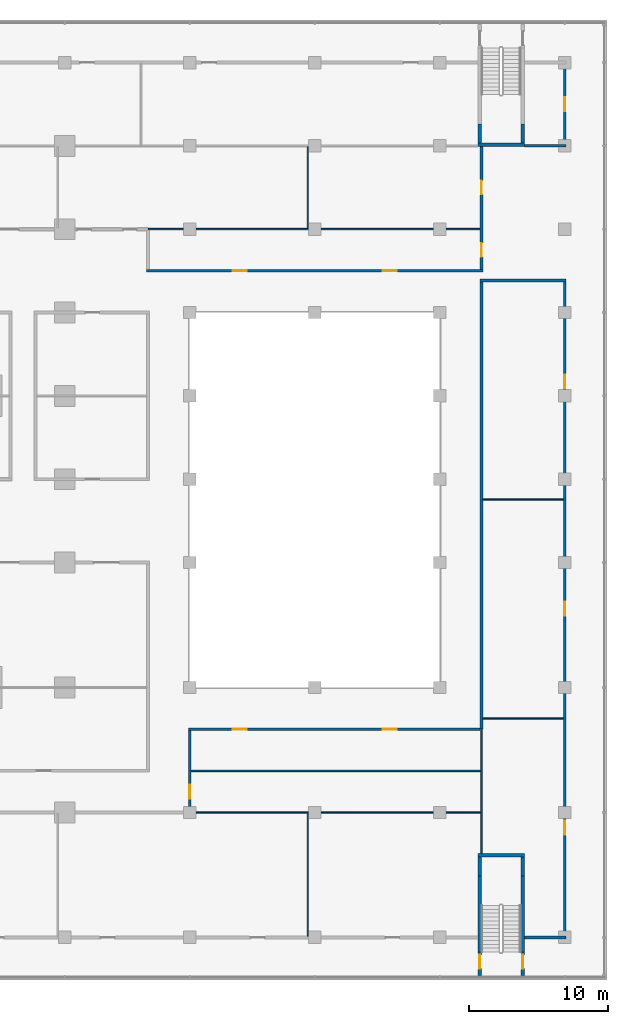
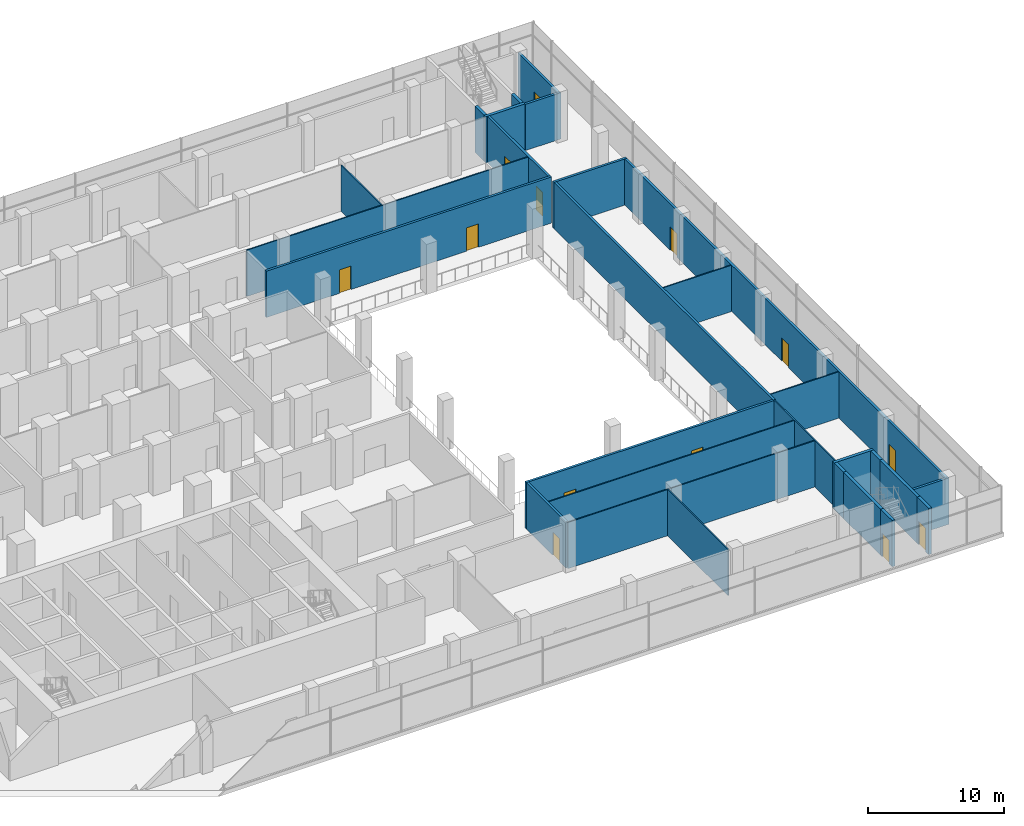
# One storey, part 17 of 22: 28 walls, 13 doors, 13 openings.
"""IFC4 building model written with IfcOpenShell, lengths in metres."""

from ifc_helpers import new_model, si_unit, direction, frame, frame_2d, origin, place, context, subcontext, project, spatial, rectangle, extrude, material, layer, layer_set, type_object, element, fill, save


model = new_model("IFC4")

# Units and contexts
model_context = context("Model", 3, precision=1e-05, world=origin(), true_north=direction((0.0, 1.0)))
body_context = subcontext(model_context, "Body", "Model", "MODEL_VIEW")
ifc_project = project(units=[si_unit("LENGTHUNIT", "METRE"), si_unit("AREAUNIT", "SQUARE_METRE"), si_unit("VOLUMEUNIT", "CUBIC_METRE"), si_unit("PLANEANGLEUNIT", "RADIAN"), si_unit("MASSUNIT", "GRAM", prefix="KILO")], contexts=[model_context])

# Site, building, storey
site_placement = place(None, origin())
site = spatial("IfcSite", under=ifc_project, at=site_placement, CompositionType="ELEMENT")
building_placement = place(site_placement, origin())
building = spatial("IfcBuilding", under=site, at=building_placement, Name="Finial Court Residences", CompositionType="ELEMENT")
storey_placement = place(building_placement, frame((0.0, 0.0, 23.5)))
storey = spatial("IfcBuildingStorey", under=building, at=storey_placement, Name="L04", CompositionType="ELEMENT", Elevation=23.5)

# Wall
ifc_material_1 = material(Name="Gypsum board")
ifc_layer_1 = layer(ifc_material_1, 0.02490234375)
ifc_material_2 = material(Name="Acoustic mineral wool in double frame")
ifc_layer_2 = layer(ifc_material_2, 0.14990234375)
ifc_layer_3 = layer(ifc_material_1, 0.02490234375)
ifc_layer_set_1 = layer_set([ifc_layer_1, ifc_layer_2, ifc_layer_3], Name="Corridor wall 200, 1 hour")
wall_type_1 = type_object("IfcWallType", Name="Corridor wall 200, 1 hour", PredefinedType="PARTITIONING", material=ifc_layer_set_1)
wall_1_placement = place(storey_placement, frame((55.60009765625, -31.5, 0.0), z_axis=(0.0, 0.0, 1.0), x_axis=(1.0, 0.0, 0.0)))
element("IfcWall", 1, at=wall_1_placement, inside=storey, type_object=wall_type_1, Name="Partition L04-002", PredefinedType="PARTITIONING", context=body_context, shape_type="SweptSolid", body=[
    extrude(rectangle(XDim=3.0, YDim=0.199951171875, at=frame_2d((1.5, 0.0))), origin(), (0.0, 0.0, 1.0), 4.14990234375),
])

# Wall, openings, doors
wall_2_placement = place(storey_placement, frame((31.39990234375, -16.5, 0.0), z_axis=(0.0, 0.0, 1.0), x_axis=(1.0, 0.0, 0.0)))
wall_2 = element("IfcWall", 2, at=wall_2_placement, inside=storey, type_object=wall_type_1, Name="Partition L04-011", PredefinedType="PARTITIONING", context=body_context, shape_type="SweptSolid", body=[
    extrude(rectangle(XDim=21.0, YDim=0.199951171875, at=frame_2d((10.5, 0.0))), origin(), (0.0, 0.0, 1.0), 4.14990234375),
])
opening_1_placement = place(wall_2_placement, frame((3.199951171875, 0.0, 0.0)))
opening_1 = element("IfcOpeningElement", 3, at=opening_1_placement, cuts=wall_2, Name="Opening L04-D011", PredefinedType="OPENING", context=body_context, shape_type="SweptSolid", body=[
    extrude(rectangle(XDim=1.0, YDim=2.10009765625, at=frame_2d((0.5, 1.050048828125))), frame((0.0, 0.10986328125, 0.0), z_axis=(0.0, -1.0, 0.0), x_axis=(1.0, 0.0, 0.0)), (0.0, 0.0, 1.0), 0.219970703125),
])
opening_2_placement = place(wall_2_placement, frame((14.0, 0.0, 0.0)))
opening_2 = element("IfcOpeningElement", 4, at=opening_2_placement, cuts=wall_2, Name="Opening L04-D012", PredefinedType="OPENING", context=body_context, shape_type="SweptSolid", body=[
    extrude(rectangle(XDim=1.0, YDim=2.10009765625, at=frame_2d((0.5, 1.050048828125))), frame((0.0, 0.10986328125, 0.0), z_axis=(0.0, -1.0, 0.0), x_axis=(1.0, 0.0, 0.0)), (0.0, 0.0, 1.0), 0.219970703125),
])
ifc_material_3 = material(Name="Timber door leaf in hollow metal frame", Category="wood")
door_type_1 = type_object("IfcDoorType", Name="Fire door set 1000 x 2100, 30 minutes", OperationType="SINGLE_SWING_LEFT", PredefinedType="DOOR", material=ifc_material_3)
door_1_placement = place(opening_1_placement, origin())
door_1 = element("IfcDoor", 5, at=door_1_placement, inside=storey, type_object=door_type_1, Name="Door L04-D011", OperationType="SINGLE_SWING_LEFT", OverallHeight=2.10009765625, OverallWidth=1.0, PredefinedType="DOOR", context=body_context, shape_type="SweptSolid", body=[
    extrude(rectangle(XDim=1.0, YDim=2.10009765625, at=frame_2d((0.5, 1.050048828125))), frame((0.0, 0.02490234375, 0.0), z_axis=(0.0, -1.0, 0.0), x_axis=(1.0, 0.0, 0.0)), (0.0, 0.0, 1.0), 0.050048828125),
])
fill(opening_1, door_1)
door_2_placement = place(opening_2_placement, origin())
door_2 = element("IfcDoor", 6, at=door_2_placement, inside=storey, type_object=door_type_1, Name="Door L04-D012", OperationType="SINGLE_SWING_RIGHT", OverallHeight=2.10009765625, OverallWidth=1.0, PredefinedType="DOOR", context=body_context, shape_type="SweptSolid", body=[
    extrude(rectangle(XDim=1.0, YDim=2.10009765625, at=frame_2d((0.5, 1.050048828125))), frame((0.0, 0.02490234375, 0.0), z_axis=(0.0, -1.0, 0.0), x_axis=(1.0, 0.0, 0.0)), (0.0, 0.0, 1.0), 0.050048828125),
])
fill(opening_2, door_2)

# Wall
wall_3_placement = place(storey_placement, frame((52.39990234375, 15.800048828125, 0.0), z_axis=(0.0, 0.0, 1.0), x_axis=(1.0, 0.0, 0.0)))
element("IfcWall", 7, at=wall_3_placement, inside=storey, type_object=wall_type_1, Name="Partition L04-030", PredefinedType="PARTITIONING", context=body_context, shape_type="SweptSolid", body=[
    extrude(rectangle(XDim=6.2001953125, YDim=0.199951171875, at=frame_2d((3.10009765625, 0.0))), origin(), (0.0, 0.0, 1.0), 4.14990234375),
])

# Wall, openings, doors
wall_4_placement = place(storey_placement, frame((28.39990234375, 16.5, 0.0), z_axis=(0.0, 0.0, 1.0), x_axis=(1.0, 0.0, 0.0)))
wall_4 = element("IfcWall", 8, at=wall_4_placement, inside=storey, type_object=wall_type_1, Name="Partition L04-031", PredefinedType="PARTITIONING", context=body_context, shape_type="SweptSolid", body=[
    extrude(rectangle(XDim=24.2001953125, YDim=0.199951171875, at=frame_2d((12.10009765625, 0.0))), origin(), (0.0, 0.0, 1.0), 4.14990234375),
])
opening_3_placement = place(wall_4_placement, frame((6.199951171875, 0.0, 0.0)))
opening_3 = element("IfcOpeningElement", 9, at=opening_3_placement, cuts=wall_4, Name="Opening L04-D029", PredefinedType="OPENING", context=body_context, shape_type="SweptSolid", body=[
    extrude(rectangle(XDim=1.0, YDim=2.10009765625, at=frame_2d((0.5, 1.050048828125))), frame((0.0, 0.10986328125, 0.0), z_axis=(0.0, -1.0, 0.0), x_axis=(1.0, 0.0, 0.0)), (0.0, 0.0, 1.0), 0.219970703125),
])
opening_4_placement = place(wall_4_placement, frame((17.0, 0.0, 0.0)))
opening_4 = element("IfcOpeningElement", 10, at=opening_4_placement, cuts=wall_4, Name="Opening L04-D030", PredefinedType="OPENING", context=body_context, shape_type="SweptSolid", body=[
    extrude(rectangle(XDim=1.0, YDim=2.10009765625, at=frame_2d((0.5, 1.050048828125))), frame((0.0, 0.10986328125, 0.0), z_axis=(0.0, -1.0, 0.0), x_axis=(1.0, 0.0, 0.0)), (0.0, 0.0, 1.0), 0.219970703125),
])
door_3_placement = place(opening_3_placement, origin())
door_3 = element("IfcDoor", 11, at=door_3_placement, inside=storey, type_object=door_type_1, Name="Door L04-D029", OperationType="SINGLE_SWING_RIGHT", OverallHeight=2.10009765625, OverallWidth=1.0, PredefinedType="DOOR", context=body_context, shape_type="SweptSolid", body=[
    extrude(rectangle(XDim=1.0, YDim=2.10009765625, at=frame_2d((0.5, 1.050048828125))), frame((0.0, 0.02490234375, 0.0), z_axis=(0.0, -1.0, 0.0), x_axis=(1.0, 0.0, 0.0)), (0.0, 0.0, 1.0), 0.050048828125),
])
fill(opening_3, door_3)
door_4_placement = place(opening_4_placement, origin())
door_4 = element("IfcDoor", 12, at=door_4_placement, inside=storey, type_object=door_type_1, Name="Door L04-D030", OperationType="SINGLE_SWING_LEFT", OverallHeight=2.10009765625, OverallWidth=1.0, PredefinedType="DOOR", context=body_context, shape_type="SweptSolid", body=[
    extrude(rectangle(XDim=1.0, YDim=2.10009765625, at=frame_2d((0.5, 1.050048828125))), frame((0.0, 0.02490234375, 0.0), z_axis=(0.0, -1.0, 0.0), x_axis=(1.0, 0.0, 0.0)), (0.0, 0.0, 1.0), 0.050048828125),
])
fill(opening_4, door_4)

# Wall
wall_5_placement = place(storey_placement, frame((55.60009765625, 25.5, 0.0), z_axis=(0.0, 0.0, 1.0), x_axis=(1.0, 0.0, 0.0)))
element("IfcWall", 13, at=wall_5_placement, inside=storey, type_object=wall_type_1, Name="Partition L04-034", PredefinedType="PARTITIONING", context=body_context, shape_type="SweptSolid", body=[
    extrude(rectangle(XDim=3.0, YDim=0.199951171875, at=frame_2d((1.5, 0.0))), origin(), (0.0, 0.0, 1.0), 4.14990234375),
])

# Wall, opening, door
wall_6_placement = place(storey_placement, frame((31.5, -22.39990234375, 0.0), z_axis=(0.0, 0.0, 1.0), x_axis=(0.0, 1.0, 0.0)))
wall_6 = element("IfcWall", 14, at=wall_6_placement, inside=storey, type_object=wall_type_1, Name="Partition L04-066", PredefinedType="PARTITIONING", context=body_context, shape_type="SweptSolid", body=[
    extrude(rectangle(XDim=5.7998046875, YDim=0.199951171875, at=frame_2d((2.89990234375, 0.0))), origin(), (0.0, 0.0, 1.0), 4.14990234375),
])
opening_5_placement = place(wall_6_placement, frame((0.89990234375, 0.0, 0.0)))
opening_5 = element("IfcOpeningElement", 15, at=opening_5_placement, cuts=wall_6, Name="Opening L04-D047", PredefinedType="OPENING", context=body_context, shape_type="SweptSolid", body=[
    extrude(rectangle(XDim=1.0, YDim=2.10009765625, at=frame_2d((0.5, 1.050048828125))), frame((0.0, 0.10986328125, 0.0), z_axis=(0.0, -1.0, 0.0), x_axis=(1.0, 0.0, 0.0)), (0.0, 0.0, 1.0), 0.219970703125),
])
door_5_placement = place(opening_5_placement, origin())
door_5 = element("IfcDoor", 16, at=door_5_placement, inside=storey, type_object=door_type_1, Name="Door L04-D047", OperationType="SINGLE_SWING_LEFT", OverallHeight=2.10009765625, OverallWidth=1.0, PredefinedType="DOOR", context=body_context, shape_type="SweptSolid", body=[
    extrude(rectangle(XDim=1.0, YDim=2.10009765625, at=frame_2d((0.5, 1.050048828125))), frame((0.0, 0.02490234375, 0.0), z_axis=(0.0, -1.0, 0.0), x_axis=(1.0, 0.0, 0.0)), (0.0, 0.0, 1.0), 0.050048828125),
])
fill(opening_5, door_5)

# Wall
wall_7_placement = place(storey_placement, frame((52.5, -16.5, 0.0), z_axis=(0.0, 0.0, 1.0), x_axis=(0.0, 1.0, 0.0)))
element("IfcWall", 17, at=wall_7_placement, inside=storey, type_object=wall_type_1, Name="Partition L04-069", PredefinedType="PARTITIONING", context=body_context, shape_type="SweptSolid", body=[
    extrude(rectangle(XDim=32.199951171875, YDim=0.199951171875, at=frame_2d((16.10009765625, 0.0))), origin(), (0.0, 0.0, 1.0), 4.14990234375),
])

# Wall, openings, doors
wall_8_placement = place(storey_placement, frame((52.5, 16.60009765625, 0.0), z_axis=(0.0, 0.0, 1.0), x_axis=(0.0, 1.0, 0.0)))
wall_8 = element("IfcWall", 18, at=wall_8_placement, inside=storey, type_object=wall_type_1, Name="Partition L04-070", PredefinedType="PARTITIONING", context=body_context, shape_type="SweptSolid", body=[
    extrude(rectangle(XDim=8.869873046875, YDim=0.199951171875, at=frame_2d((4.43505859375, 0.0))), origin(), (0.0, 0.0, 1.0), 4.14990234375),
])
opening_6_placement = place(wall_8_placement, frame((0.89990234375, 0.0, 0.0)))
opening_6 = element("IfcOpeningElement", 19, at=opening_6_placement, cuts=wall_8, Name="Opening L04-D048", PredefinedType="OPENING", context=body_context, shape_type="SweptSolid", body=[
    extrude(rectangle(XDim=1.0, YDim=2.10009765625, at=frame_2d((0.5, 1.050048828125))), frame((0.0, 0.10986328125, 0.0), z_axis=(0.0, -1.0, 0.0), x_axis=(1.0, 0.0, 0.0)), (0.0, 0.0, 1.0), 0.219970703125),
])
opening_7_placement = place(wall_8_placement, frame((5.39990234375, 0.0, 0.0)))
opening_7 = element("IfcOpeningElement", 20, at=opening_7_placement, cuts=wall_8, Name="Opening L04-D049", PredefinedType="OPENING", context=body_context, shape_type="SweptSolid", body=[
    extrude(rectangle(XDim=1.0, YDim=2.10009765625, at=frame_2d((0.5, 1.050048828125))), frame((0.0, 0.10986328125, 0.0), z_axis=(0.0, -1.0, 0.0), x_axis=(1.0, 0.0, 0.0)), (0.0, 0.0, 1.0), 0.219970703125),
])
door_6_placement = place(opening_6_placement, origin())
door_6 = element("IfcDoor", 21, at=door_6_placement, inside=storey, type_object=door_type_1, Name="Door L04-D048", OperationType="SINGLE_SWING_RIGHT", OverallHeight=2.10009765625, OverallWidth=1.0, PredefinedType="DOOR", context=body_context, shape_type="SweptSolid", body=[
    extrude(rectangle(XDim=1.0, YDim=2.10009765625, at=frame_2d((0.5, 1.050048828125))), frame((0.0, 0.02490234375, 0.0), z_axis=(0.0, -1.0, 0.0), x_axis=(1.0, 0.0, 0.0)), (0.0, 0.0, 1.0), 0.050048828125),
])
fill(opening_6, door_6)
door_7_placement = place(opening_7_placement, origin())
door_7 = element("IfcDoor", 22, at=door_7_placement, inside=storey, type_object=door_type_1, Name="Door L04-D049", OperationType="SINGLE_SWING_LEFT", OverallHeight=2.10009765625, OverallWidth=1.0, PredefinedType="DOOR", context=body_context, shape_type="SweptSolid", body=[
    extrude(rectangle(XDim=1.0, YDim=2.10009765625, at=frame_2d((0.5, 1.050048828125))), frame((0.0, 0.02490234375, 0.0), z_axis=(0.0, -1.0, 0.0), x_axis=(1.0, 0.0, 0.0)), (0.0, 0.0, 1.0), 0.050048828125),
])
fill(opening_7, door_7)

wall_9_placement = place(storey_placement, frame((58.5, -31.39990234375, 0.0), z_axis=(0.0, 0.0, 1.0), x_axis=(0.0, 1.0, 0.0)))
wall_9 = element("IfcWall", 23, at=wall_9_placement, inside=storey, type_object=wall_type_1, Name="Partition L04-072", PredefinedType="PARTITIONING", context=body_context, shape_type="SweptSolid", body=[
    extrude(rectangle(XDim=47.099853515625, YDim=0.199951171875, at=frame_2d((23.5498046875, 0.0))), origin(), (0.0, 0.0, 1.0), 4.14990234375),
])
opening_8_placement = place(wall_9_placement, frame((7.300048828125, 0.0, 0.0)))
opening_8 = element("IfcOpeningElement", 24, at=opening_8_placement, cuts=wall_9, Name="Opening L04-D050", PredefinedType="OPENING", context=body_context, shape_type="SweptSolid", body=[
    extrude(rectangle(XDim=1.0, YDim=2.10009765625, at=frame_2d((0.5, 1.050048828125))), frame((0.0, 0.10986328125, 0.0), z_axis=(0.0, -1.0, 0.0), x_axis=(1.0, 0.0, 0.0)), (0.0, 0.0, 1.0), 0.219970703125),
])
opening_9_placement = place(wall_9_placement, frame((23.06689453125, 0.0, 0.0)))
opening_9 = element("IfcOpeningElement", 25, at=opening_9_placement, cuts=wall_9, Name="Opening L04-D051", PredefinedType="OPENING", context=body_context, shape_type="SweptSolid", body=[
    extrude(rectangle(XDim=1.0, YDim=2.10009765625, at=frame_2d((0.5, 1.050048828125))), frame((0.0, 0.10986328125, 0.0), z_axis=(0.0, -1.0, 0.0), x_axis=(1.0, 0.0, 0.0)), (0.0, 0.0, 1.0), 0.219970703125),
])
opening_10_placement = place(wall_9_placement, frame((39.43310546875, 0.0, 0.0)))
opening_10 = element("IfcOpeningElement", 26, at=opening_10_placement, cuts=wall_9, Name="Opening L04-D052", PredefinedType="OPENING", context=body_context, shape_type="SweptSolid", body=[
    extrude(rectangle(XDim=1.0, YDim=2.10009765625, at=frame_2d((0.5, 1.050048828125))), frame((0.0, 0.10986328125, 0.0), z_axis=(0.0, -1.0, 0.0), x_axis=(1.0, 0.0, 0.0)), (0.0, 0.0, 1.0), 0.219970703125),
])
door_8_placement = place(opening_8_placement, origin())
door_8 = element("IfcDoor", 27, at=door_8_placement, inside=storey, type_object=door_type_1, Name="Door L04-D050", OperationType="SINGLE_SWING_RIGHT", OverallHeight=2.10009765625, OverallWidth=1.0, PredefinedType="DOOR", context=body_context, shape_type="SweptSolid", body=[
    extrude(rectangle(XDim=1.0, YDim=2.10009765625, at=frame_2d((0.5, 1.050048828125))), frame((0.0, 0.02490234375, 0.0), z_axis=(0.0, -1.0, 0.0), x_axis=(1.0, 0.0, 0.0)), (0.0, 0.0, 1.0), 0.050048828125),
])
fill(opening_8, door_8)
door_9_placement = place(opening_9_placement, origin())
door_9 = element("IfcDoor", 28, at=door_9_placement, inside=storey, type_object=door_type_1, Name="Door L04-D051", OperationType="SINGLE_SWING_LEFT", OverallHeight=2.10009765625, OverallWidth=1.0, PredefinedType="DOOR", context=body_context, shape_type="SweptSolid", body=[
    extrude(rectangle(XDim=1.0, YDim=2.10009765625, at=frame_2d((0.5, 1.050048828125))), frame((0.0, 0.02490234375, 0.0), z_axis=(0.0, -1.0, 0.0), x_axis=(1.0, 0.0, 0.0)), (0.0, 0.0, 1.0), 0.050048828125),
])
fill(opening_9, door_9)
door_10_placement = place(opening_10_placement, origin())
door_10 = element("IfcDoor", 29, at=door_10_placement, inside=storey, type_object=door_type_1, Name="Door L04-D052", OperationType="SINGLE_SWING_LEFT", OverallHeight=2.10009765625, OverallWidth=1.0, PredefinedType="DOOR", context=body_context, shape_type="SweptSolid", body=[
    extrude(rectangle(XDim=1.0, YDim=2.10009765625, at=frame_2d((0.5, 1.050048828125))), frame((0.0, 0.02490234375, 0.0), z_axis=(0.0, -1.0, 0.0), x_axis=(1.0, 0.0, 0.0)), (0.0, 0.0, 1.0), 0.050048828125),
])
fill(opening_10, door_10)

# Wall, opening, door
wall_10_placement = place(storey_placement, frame((58.5, 25.60009765625, 0.0), z_axis=(0.0, 0.0, 1.0), x_axis=(0.0, 1.0, 0.0)))
wall_10 = element("IfcWall", 30, at=wall_10_placement, inside=storey, type_object=wall_type_1, Name="Partition L04-073", PredefinedType="PARTITIONING", context=body_context, shape_type="SweptSolid", body=[
    extrude(rectangle(XDim=5.7998046875, YDim=0.199951171875, at=frame_2d((2.89990234375, 0.0))), origin(), (0.0, 0.0, 1.0), 4.14990234375),
])
opening_11_placement = place(wall_10_placement, frame((2.39990234375, 0.0, 0.0)))
opening_11 = element("IfcOpeningElement", 31, at=opening_11_placement, cuts=wall_10, Name="Opening L04-D053", PredefinedType="OPENING", context=body_context, shape_type="SweptSolid", body=[
    extrude(rectangle(XDim=1.0, YDim=2.10009765625, at=frame_2d((0.5, 1.050048828125))), frame((0.0, 0.10986328125, 0.0), z_axis=(0.0, -1.0, 0.0), x_axis=(1.0, 0.0, 0.0)), (0.0, 0.0, 1.0), 0.219970703125),
])
door_11_placement = place(opening_11_placement, origin())
door_11 = element("IfcDoor", 32, at=door_11_placement, inside=storey, type_object=door_type_1, Name="Door L04-D053", OperationType="SINGLE_SWING_LEFT", OverallHeight=2.10009765625, OverallWidth=1.0, PredefinedType="DOOR", context=body_context, shape_type="SweptSolid", body=[
    extrude(rectangle(XDim=1.0, YDim=2.10009765625, at=frame_2d((0.5, 1.050048828125))), frame((0.0, 0.02490234375, 0.0), z_axis=(0.0, -1.0, 0.0), x_axis=(1.0, 0.0, 0.0)), (0.0, 0.0, 1.0), 0.050048828125),
])
fill(opening_11, door_11)

# Walls
ifc_layer_4 = layer(ifc_material_1, 0.012451171875)
ifc_material_4 = material(Name="Mineral wool in light-gauge frame")
ifc_layer_5 = layer(ifc_material_4, 0.074951171875)
ifc_layer_6 = layer(ifc_material_1, 0.012451171875)
ifc_layer_set_2 = layer_set([ifc_layer_4, ifc_layer_5, ifc_layer_6], Name="Gypsum board partition 100")
wall_type_2 = type_object("IfcWallType", Name="Gypsum board partition 100", PredefinedType="PARTITIONING", material=ifc_layer_set_2)
wall_11_placement = place(storey_placement, frame((31.5, -22.5, 0.0), z_axis=(0.0, 0.0, 1.0), x_axis=(1.0, 0.0, 0.0)))
element("IfcWall", 33, at=wall_11_placement, inside=storey, type_object=wall_type_2, Name="Partition L04-007", PredefinedType="PARTITIONING", context=body_context, shape_type="SweptSolid", body=[
    extrude(rectangle(XDim=20.949951171875, YDim=0.10009765625, at=frame_2d((10.47509765625, 0.0))), origin(), (0.0, 0.0, 1.0), 4.14990234375),
])
wall_12_placement = place(storey_placement, frame((31.60009765625, -19.5, 0.0), z_axis=(0.0, 0.0, 1.0), x_axis=(1.0, 0.0, 0.0)))
element("IfcWall", 34, at=wall_12_placement, inside=storey, type_object=wall_type_2, Name="Partition L04-010", PredefinedType="PARTITIONING", context=body_context, shape_type="SweptSolid", body=[
    extrude(rectangle(XDim=20.849853515625, YDim=0.10009765625, at=frame_2d((10.4248046875, 0.0))), origin(), (0.0, 0.0, 1.0), 4.14990234375),
])
for number, where, z_axis, x_axis, name in (
    (35, (52.60009765625, -15.73291015625, 0.0), (0.0, 0.0, 1.0), (1.0, 0.0, 0.0), "Partition L04-012"),
    (36, (52.60009765625, 0.032958984375, 0.0), (0.0, 0.0, 1.0), (1.0, 0.0, 0.0), "Partition L04-017"),
):
    element("IfcWall", number, at=place(storey_placement, frame(where, z_axis=z_axis, x_axis=x_axis)), inside=storey, type_object=wall_type_2, Name=name, PredefinedType="PARTITIONING", context=body_context, shape_type="SweptSolid", body=[
        extrude(rectangle(XDim=5.7998046875, YDim=0.10009765625, at=frame_2d((2.89990234375, 0.0))), origin(), (0.0, 0.0, 1.0), 4.14990234375),
    ])
wall_13_placement = place(storey_placement, frame((28.5, 19.5, 0.0), z_axis=(0.0, 0.0, 1.0), x_axis=(1.0, 0.0, 0.0)))
element("IfcWall", 37, at=wall_13_placement, inside=storey, type_object=wall_type_2, Name="Partition L04-033", PredefinedType="PARTITIONING", context=body_context, shape_type="SweptSolid", body=[
    extrude(rectangle(XDim=23.89990234375, YDim=0.10009765625, at=frame_2d((11.949951171875, 0.0))), origin(), (0.0, 0.0, 1.0), 4.14990234375),
])
wall_14_placement = place(storey_placement, frame((40.0, -31.39990234375, 0.0), z_axis=(0.0, 0.0, 1.0), x_axis=(0.0, 1.0, 0.0)))
element("IfcWall", 38, at=wall_14_placement, inside=storey, type_object=wall_type_2, Name="Partition L04-067", PredefinedType="PARTITIONING", context=body_context, shape_type="SweptSolid", body=[
    extrude(rectangle(XDim=8.849853515625, YDim=0.10009765625, at=frame_2d((4.4248046875, 0.0))), origin(), (0.0, 0.0, 1.0), 4.14990234375),
])
wall_15_placement = place(storey_placement, frame((40.0, 19.550048828125, 0.0), z_axis=(0.0, 0.0, 1.0), x_axis=(0.0, 1.0, 0.0)))
element("IfcWall", 39, at=wall_15_placement, inside=storey, type_object=wall_type_2, Name="Partition L04-068", PredefinedType="PARTITIONING", context=body_context, shape_type="SweptSolid", body=[
    extrude(rectangle(XDim=5.89990234375, YDim=0.10009765625, at=frame_2d((2.949951171875, 0.0))), origin(), (0.0, 0.0, 1.0), 4.14990234375),
])
wall_16_placement = place(storey_placement, frame((52.5, -25.469970703125, 0.0), z_axis=(0.0, 0.0, 1.0), x_axis=(0.0, 1.0, 0.0)))
element("IfcWall", 40, at=wall_16_placement, inside=storey, type_object=wall_type_2, Name="Partition L04-071", PredefinedType="PARTITIONING", context=body_context, shape_type="SweptSolid", body=[
    extrude(rectangle(XDim=8.969970703125, YDim=0.10009765625, at=frame_2d((4.48486328125, 0.0))), origin(), (0.0, 0.0, 1.0), 4.14990234375),
])

# Wall, opening, door
ifc_material_5 = material(Name="Concrete C50/60", Category="concrete")
ifc_layer_7 = layer(ifc_material_5, 0.25)
ifc_layer_set_3 = layer_set([ifc_layer_7], Name="Stair enclosure wall 250 Concrete C50/60")
wall_type_3 = type_object("IfcWallType", Name="Stair enclosure wall 250 Concrete C50/60", PredefinedType="SHEAR", material=ifc_layer_set_3)
wall_17_placement = place(storey_placement, frame((52.375, -32.550048828125, 0.0), z_axis=(0.0, 0.0, 1.0), x_axis=(0.0, -1.0, 0.0)))
wall_17 = element("IfcWall", 41, at=wall_17_placement, inside=storey, type_object=wall_type_3, Name="Exit Stair 3 enclosure wall L04-W1", PredefinedType="SHEAR", context=body_context, shape_type="SweptSolid", body=[
    extrude(rectangle(XDim=1.68994140625, YDim=0.25, at=frame_2d((0.844970703125, 0.0))), origin(), (0.0, 0.0, 1.0), 4.14990234375),
])
opening_12_placement = place(wall_17_placement, frame((0.199951171875, 0.0, 0.0)))
opening_12 = element("IfcOpeningElement", 42, at=opening_12_placement, cuts=wall_17, Name="Opening L04-S3", PredefinedType="OPENING", context=body_context, shape_type="SweptSolid", body=[
    extrude(rectangle(XDim=1.0, YDim=2.10009765625, at=frame_2d((0.5, 1.050048828125))), frame((0.0, 0.135009765625, 0.0), z_axis=(0.0, -1.0, 0.0), x_axis=(1.0, 0.0, 0.0)), (0.0, 0.0, 1.0), 0.27001953125),
])
ifc_material_6 = material(Name="Steel fire door", Category="steel")
door_type_2 = type_object("IfcDoorType", Name="Stair door 1000 x 2100 EI 90", OperationType="NOTDEFINED", PredefinedType="DOOR", material=ifc_material_6)
door_12_placement = place(opening_12_placement, origin())
door_12 = element("IfcDoor", 43, at=door_12_placement, inside=storey, type_object=door_type_2, Name="Exit Stair 3 door L04", OperationType="SINGLE_SWING_RIGHT", OverallHeight=2.10009765625, OverallWidth=1.0, PredefinedType="DOOR", context=body_context, shape_type="SweptSolid", body=[
    extrude(rectangle(XDim=1.0, YDim=2.10009765625, at=frame_2d((0.5, 1.050048828125))), frame((0.0, 0.02490234375, 0.0), z_axis=(0.0, -1.0, 0.0), x_axis=(1.0, 0.0, 0.0)), (0.0, 0.0, 1.0), 0.050048828125),
])
fill(opening_12, door_12)

# Walls
wall_18_placement = place(storey_placement, frame((52.375, -32.550048828125, 0.0), z_axis=(0.0, 0.0, 1.0), x_axis=(0.0, 1.0, 0.0)))
element("IfcWall", 44, at=wall_18_placement, inside=storey, type_object=wall_type_3, Name="Exit Stair 3 enclosure wall L04-W2", PredefinedType="SHEAR", context=body_context, shape_type="SweptSolid", body=[
    extrude(rectangle(XDim=5.47998046875, YDim=0.25, at=frame_2d((2.739990234375, 0.0))), origin(), (0.0, 0.0, 1.0), 4.14990234375),
])
wall_19_placement = place(storey_placement, frame((52.375, -27.070068359375, 0.0), z_axis=(0.0, 0.0, 1.0), x_axis=(0.0, 1.0, 0.0)))
element("IfcWall", 45, at=wall_19_placement, inside=storey, type_object=wall_type_3, Name="Exit Stair 3 enclosure wall L04-W3", PredefinedType="SHEAR", context=body_context, shape_type="SweptSolid", body=[
    extrude(rectangle(XDim=1.35009765625, YDim=0.25, at=frame_2d((0.675048828125, 0.0))), origin(), (0.0, 0.0, 1.0), 4.14990234375),
])

# Wall, opening, door
wall_20_placement = place(storey_placement, frame((55.47509765625, -34.239990234375, 0.0), z_axis=(0.0, 0.0, 1.0), x_axis=(0.0, 1.0, 0.0)))
wall_20 = element("IfcWall", 46, at=wall_20_placement, inside=storey, type_object=wall_type_3, Name="Exit Stair 3 enclosure wall L04-E1", PredefinedType="SHEAR", context=body_context, shape_type="SweptSolid", body=[
    extrude(rectangle(XDim=1.68994140625, YDim=0.25, at=frame_2d((0.844970703125, 0.0))), origin(), (0.0, 0.0, 1.0), 4.14990234375),
])
opening_13_placement = place(wall_20_placement, frame((0.489990234375, 0.0, 0.0)))
opening_13 = element("IfcOpeningElement", 47, at=opening_13_placement, cuts=wall_20, Name="Opening L04-S3E", PredefinedType="OPENING", context=body_context, shape_type="SweptSolid", body=[
    extrude(rectangle(XDim=1.0, YDim=2.10009765625, at=frame_2d((0.5, 1.050048828125))), frame((0.0, 0.135009765625, 0.0), z_axis=(0.0, -1.0, 0.0), x_axis=(1.0, 0.0, 0.0)), (0.0, 0.0, 1.0), 0.27001953125),
])
door_13_placement = place(opening_13_placement, origin())
door_13 = element("IfcDoor", 48, at=door_13_placement, inside=storey, type_object=door_type_2, Name="Exit Stair 3 east door L04", OperationType="SINGLE_SWING_LEFT", OverallHeight=2.10009765625, OverallWidth=1.0, PredefinedType="DOOR", context=body_context, shape_type="SweptSolid", body=[
    extrude(rectangle(XDim=1.0, YDim=2.10009765625, at=frame_2d((0.5, 1.050048828125))), frame((0.0, 0.02490234375, 0.0), z_axis=(0.0, -1.0, 0.0), x_axis=(1.0, 0.0, 0.0)), (0.0, 0.0, 1.0), 0.050048828125),
])
fill(opening_13, door_13)

# Walls
wall_21_placement = place(storey_placement, frame((55.47509765625, -32.550048828125, 0.0), z_axis=(0.0, 0.0, 1.0), x_axis=(0.0, 1.0, 0.0)))
element("IfcWall", 49, at=wall_21_placement, inside=storey, type_object=wall_type_3, Name="Exit Stair 3 enclosure wall L04-E2", PredefinedType="SHEAR", context=body_context, shape_type="SweptSolid", body=[
    extrude(rectangle(XDim=5.47998046875, YDim=0.25, at=frame_2d((2.739990234375, 0.0))), origin(), (0.0, 0.0, 1.0), 4.14990234375),
])
wall_22_placement = place(storey_placement, frame((55.47509765625, -27.070068359375, 0.0), z_axis=(0.0, 0.0, 1.0), x_axis=(0.0, 1.0, 0.0)))
element("IfcWall", 50, at=wall_22_placement, inside=storey, type_object=wall_type_3, Name="Exit Stair 3 enclosure wall L04-E3", PredefinedType="SHEAR", context=body_context, shape_type="SweptSolid", body=[
    extrude(rectangle(XDim=1.35009765625, YDim=0.25, at=frame_2d((0.675048828125, 0.0))), origin(), (0.0, 0.0, 1.0), 4.14990234375),
])
wall_23_placement = place(storey_placement, frame((52.25, -25.594970703125, 0.0), z_axis=(0.0, 0.0, 1.0), x_axis=(1.0, 0.0, 0.0)))
element("IfcWall", 51, at=wall_23_placement, inside=storey, type_object=wall_type_3, Name="Exit Stair 3 enclosure wall L04-N", PredefinedType="SHEAR", context=body_context, shape_type="SweptSolid", body=[
    extrude(rectangle(XDim=3.35009765625, YDim=0.25, at=frame_2d((1.675048828125, 0.0))), origin(), (0.0, 0.0, 1.0), 4.14990234375),
])
for number, where, z_axis, x_axis, name in (
    (52, (52.375, 25.719970703125, 0.0), (0.0, 0.0, 1.0), (0.0, 1.0, 0.0), "Exit Stair 5 enclosure wall L04-W3"),
    (53, (55.47509765625, 25.719970703125, 0.0), (0.0, 0.0, 1.0), (0.0, 1.0, 0.0), "Exit Stair 5 enclosure wall L04-E3"),
):
    element("IfcWall", number, at=place(storey_placement, frame(where, z_axis=z_axis, x_axis=x_axis)), inside=storey, type_object=wall_type_3, Name=name, PredefinedType="SHEAR", context=body_context, shape_type="SweptSolid", body=[
        extrude(rectangle(XDim=1.35009765625, YDim=0.25, at=frame_2d((0.675048828125, 0.0))), origin(), (0.0, 0.0, 1.0), 4.14990234375),
    ])
wall_24_placement = place(storey_placement, frame((52.25, 25.594970703125, 0.0), z_axis=(0.0, 0.0, 1.0), x_axis=(1.0, 0.0, 0.0)))
element("IfcWall", 54, at=wall_24_placement, inside=storey, type_object=wall_type_3, Name="Exit Stair 5 enclosure wall L04-N", PredefinedType="SHEAR", context=body_context, shape_type="SweptSolid", body=[
    extrude(rectangle(XDim=3.35009765625, YDim=0.25, at=frame_2d((1.675048828125, 0.0))), origin(), (0.0, 0.0, 1.0), 4.14990234375),
])

save(model, "model.ifc")
